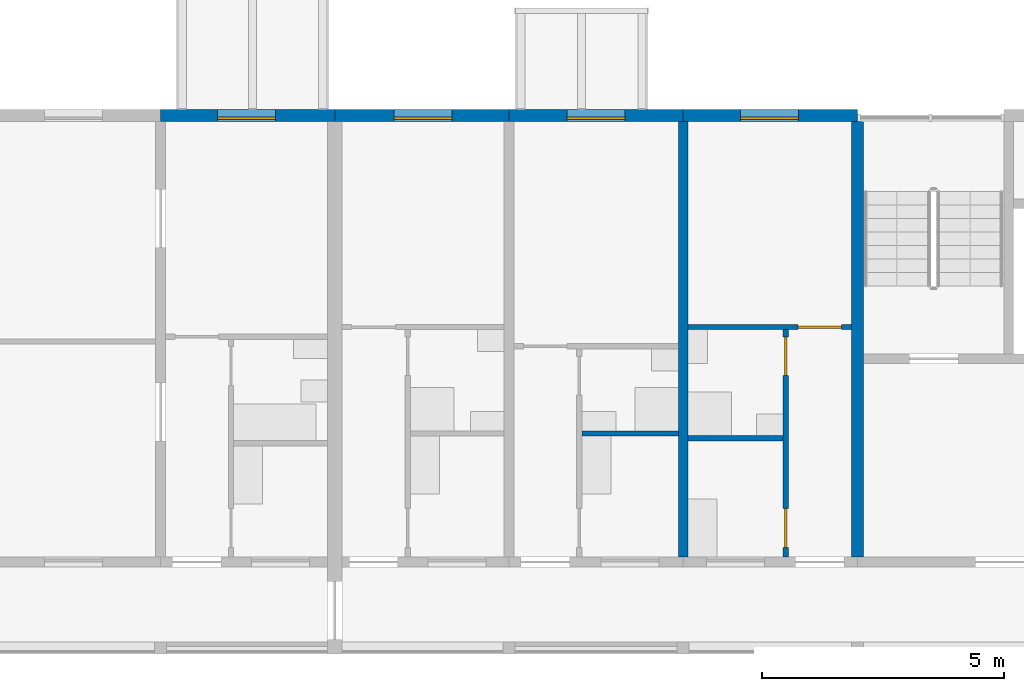
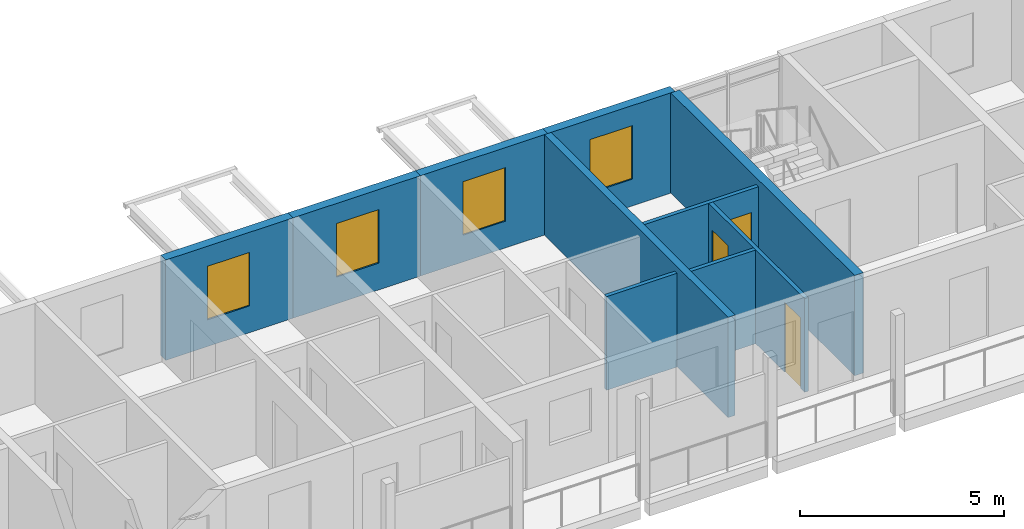
# One storey, part 37 of 94: 10 walls, 4 windows, 3 doors, 7 openings.
"""IFC4 building model written with IfcOpenShell, lengths in metres."""

from ifc_helpers import new_model, si_unit, direction, frame, frame_2d, origin, place, context, subcontext, project, spatial, rectangle, extrude, material, layer, layer_set, type_object, element, fill, save


model = new_model("IFC4")

# Units and contexts
model_context = context("Model", 3, precision=1e-05, world=origin(), true_north=direction((0.0, 1.0)))
body_context = subcontext(model_context, "Body", "Model", "MODEL_VIEW")
ifc_project = project(units=[si_unit("LENGTHUNIT", "METRE"), si_unit("AREAUNIT", "SQUARE_METRE"), si_unit("VOLUMEUNIT", "CUBIC_METRE"), si_unit("PLANEANGLEUNIT", "RADIAN"), si_unit("MASSUNIT", "GRAM", prefix="KILO")], contexts=[model_context])

# Site, building, storey
site_placement = place(None, origin())
site = spatial("IfcSite", under=ifc_project, at=site_placement, CompositionType="ELEMENT")
building_placement = place(site_placement, origin())
building = spatial("IfcBuilding", under=site, at=building_placement, Name="Ridgestep Commons", CompositionType="ELEMENT")
storey_placement = place(building_placement, frame((0.0, 0.0, 24.0)))
storey = spatial("IfcBuildingStorey", under=building, at=storey_placement, Name="L08", CompositionType="ELEMENT", Elevation=24.0)

# Walls
ifc_material_1 = material(Name="Concrete C30/37", Category="concrete")
ifc_layer_1 = layer(ifc_material_1, 0.25)
ifc_layer_set_1 = layer_set([ifc_layer_1], Name="Core cross wall 250")
wall_type_1 = type_object("IfcWallType", Name="Core cross wall 250", PredefinedType="SHEAR", material=ifc_layer_set_1)
wall_1_placement = place(storey_placement, frame((73.199951171875, 13.75, 0.0), z_axis=(0.0, 0.0, 1.0), x_axis=(0.0, 1.0, 0.0)))
element("IfcWall", 1, at=wall_1_placement, inside=storey, type_object=wall_type_1, Name="Cross wall A-08-0732", PredefinedType="SHEAR", context=body_context, shape_type="SweptSolid", body=[
    extrude(rectangle(XDim=9.0, YDim=0.25, at=frame_2d((4.5, 0.0))), origin(), (0.0, 0.0, 1.0), 3.0),
])
ifc_material_2 = material(Name="Precast concrete C40/50", Category="concrete")
ifc_layer_2 = layer(ifc_material_2, 0.199951171875)
ifc_layer_set_2 = layer_set([ifc_layer_2], Name="Cross wall 200")
wall_type_2 = type_object("IfcWallType", Name="Cross wall 200", PredefinedType="SHEAR", material=ifc_layer_set_2)
wall_2_placement = place(storey_placement, frame((69.60009765625, 13.75, 0.0), z_axis=(0.0, 0.0, 1.0), x_axis=(0.0, 1.0, 0.0)))
element("IfcWall", 2, at=wall_2_placement, inside=storey, type_object=wall_type_2, Name="Cross wall A-08-0696", PredefinedType="SHEAR", context=body_context, shape_type="SweptSolid", body=[
    extrude(rectangle(XDim=9.0, YDim=0.199951171875, at=frame_2d((4.5, 0.0))), origin(), (0.0, 0.0, 1.0), 3.0),
])

# Wall, opening, window
ifc_material_3 = material(Name="Precast concrete C40/50", Category="concrete")
ifc_layer_3 = layer(ifc_material_3, 0.25)
ifc_layer_set_3 = layer_set([ifc_layer_3], Name="North facade panel 250")
wall_type_3 = type_object("IfcWallType", Name="North facade panel 250", PredefinedType="SOLIDWALL", material=ifc_layer_set_3)
wall_3_placement = place(storey_placement, frame((58.800048828125, 22.875, 0.0), z_axis=(0.0, 0.0, 1.0), x_axis=(1.0, 0.0, 0.0)))
wall_3 = element("IfcWall", 3, at=wall_3_placement, inside=storey, type_object=wall_type_3, Name="North panel A3T1 L08", PredefinedType="SOLIDWALL", context=body_context, shape_type="SweptSolid", body=[
    extrude(rectangle(XDim=3.599853515625, YDim=0.25, at=frame_2d((1.7998046875, 0.0))), origin(), (0.0, 0.0, 1.0), 3.0),
])
opening_1_placement = place(wall_3_placement, frame((1.175048828125, 0.0, 0.800048828125)))
opening_1 = element("IfcOpeningElement", 4, at=opening_1_placement, cuts=wall_3, Name="Opening W11", PredefinedType="OPENING", context=body_context, shape_type="SweptSolid", body=[
    extrude(rectangle(XDim=1.199951171875, YDim=1.60009765625, at=frame_2d((0.60009765625, 0.800048828125))), frame((0.0, 0.135009765625, 0.0), z_axis=(0.0, -1.0, 0.0), x_axis=(1.0, 0.0, 0.0)), (0.0, 0.0, 1.0), 0.27001953125),
])
ifc_material_4 = material(Name="Aluminium 6063-T6 and glass", Category="aluminium")
window_type = type_object("IfcWindowType", Name="Flat window 1200 x 1600", PartitioningType="SINGLE_PANEL", PredefinedType="WINDOW", material=ifc_material_4)
window_1_placement = place(opening_1_placement, origin())
window_1 = element("IfcWindow", 5, at=window_1_placement, inside=storey, type_object=window_type, Name="Window A3-08a 4", OverallHeight=1.60009765625, OverallWidth=1.199951171875, PartitioningType="SINGLE_PANEL", PredefinedType="WINDOW", context=body_context, shape_type="SweptSolid", body=[
    extrude(rectangle(XDim=1.199951171875, YDim=1.60009765625, at=frame_2d((0.60009765625, 0.800048828125))), frame((0.0, -0.02490234375, 0.0), z_axis=(0.0, -1.0, 0.0), x_axis=(1.0, 0.0, 0.0)), (0.0, 0.0, 1.0), 0.06005859375),
])
fill(opening_1, window_1)

wall_4_placement = place(storey_placement, frame((62.39990234375, 22.875, 0.0), z_axis=(0.0, 0.0, 1.0), x_axis=(1.0, 0.0, 0.0)))
wall_4 = element("IfcWall", 6, at=wall_4_placement, inside=storey, type_object=wall_type_3, Name="North panel A4T1 L08", PredefinedType="SOLIDWALL", context=body_context, shape_type="SweptSolid", body=[
    extrude(rectangle(XDim=3.60009765625, YDim=0.25, at=frame_2d((1.800048828125, 0.0))), origin(), (0.0, 0.0, 1.0), 3.0),
])
opening_2_placement = place(wall_4_placement, frame((1.22509765625, 0.0, 0.800048828125)))
opening_2 = element("IfcOpeningElement", 7, at=opening_2_placement, cuts=wall_4, Name="Opening W11", PredefinedType="OPENING", context=body_context, shape_type="SweptSolid", body=[
    extrude(rectangle(XDim=1.199951171875, YDim=1.60009765625, at=frame_2d((0.60009765625, 0.800048828125))), frame((0.0, 0.135009765625, 0.0), z_axis=(0.0, -1.0, 0.0), x_axis=(1.0, 0.0, 0.0)), (0.0, 0.0, 1.0), 0.27001953125),
])
window_2_placement = place(opening_2_placement, origin())
window_2 = element("IfcWindow", 8, at=window_2_placement, inside=storey, type_object=window_type, Name="Window A4-08a 2", OverallHeight=1.60009765625, OverallWidth=1.199951171875, PartitioningType="SINGLE_PANEL", PredefinedType="WINDOW", context=body_context, shape_type="SweptSolid", body=[
    extrude(rectangle(XDim=1.199951171875, YDim=1.60009765625, at=frame_2d((0.60009765625, 0.800048828125))), frame((0.0, -0.02490234375, 0.0), z_axis=(0.0, -1.0, 0.0), x_axis=(1.0, 0.0, 0.0)), (0.0, 0.0, 1.0), 0.06005859375),
])
fill(opening_2, window_2)

wall_5_placement = place(storey_placement, frame((66.0, 22.875, 0.0), z_axis=(0.0, 0.0, 1.0), x_axis=(1.0, 0.0, 0.0)))
wall_5 = element("IfcWall", 9, at=wall_5_placement, inside=storey, type_object=wall_type_3, Name="North panel A4T2 L08", PredefinedType="SOLIDWALL", context=body_context, shape_type="SweptSolid", body=[
    extrude(rectangle(XDim=3.60009765625, YDim=0.25, at=frame_2d((1.800048828125, 0.0))), origin(), (0.0, 0.0, 1.0), 3.0),
])
opening_3_placement = place(wall_5_placement, frame((1.199951171875, 0.0, 0.800048828125)))
opening_3 = element("IfcOpeningElement", 10, at=opening_3_placement, cuts=wall_5, Name="Opening W11", PredefinedType="OPENING", context=body_context, shape_type="SweptSolid", body=[
    extrude(rectangle(XDim=1.199951171875, YDim=1.60009765625, at=frame_2d((0.60009765625, 0.800048828125))), frame((0.0, 0.135009765625, 0.0), z_axis=(0.0, -1.0, 0.0), x_axis=(1.0, 0.0, 0.0)), (0.0, 0.0, 1.0), 0.27001953125),
])
window_3_placement = place(opening_3_placement, origin())
window_3 = element("IfcWindow", 11, at=window_3_placement, inside=storey, type_object=window_type, Name="Window A4-08b 2", OverallHeight=1.60009765625, OverallWidth=1.199951171875, PartitioningType="SINGLE_PANEL", PredefinedType="WINDOW", context=body_context, shape_type="SweptSolid", body=[
    extrude(rectangle(XDim=1.199951171875, YDim=1.60009765625, at=frame_2d((0.60009765625, 0.800048828125))), frame((0.0, -0.02490234375, 0.0), z_axis=(0.0, -1.0, 0.0), x_axis=(1.0, 0.0, 0.0)), (0.0, 0.0, 1.0), 0.06005859375),
])
fill(opening_3, window_3)

wall_6_placement = place(storey_placement, frame((69.60009765625, 22.875, 0.0), z_axis=(0.0, 0.0, 1.0), x_axis=(1.0, 0.0, 0.0)))
wall_6 = element("IfcWall", 12, at=wall_6_placement, inside=storey, type_object=wall_type_3, Name="North panel A4T3 L08", PredefinedType="SOLIDWALL", context=body_context, shape_type="SweptSolid", body=[
    extrude(rectangle(XDim=3.599853515625, YDim=0.25, at=frame_2d((1.7998046875, 0.0))), origin(), (0.0, 0.0, 1.0), 3.0),
])
opening_4_placement = place(wall_6_placement, frame((1.1875, 0.0, 0.800048828125)))
opening_4 = element("IfcOpeningElement", 13, at=opening_4_placement, cuts=wall_6, Name="Opening W11", PredefinedType="OPENING", context=body_context, shape_type="SweptSolid", body=[
    extrude(rectangle(XDim=1.199951171875, YDim=1.60009765625, at=frame_2d((0.60009765625, 0.800048828125))), frame((0.0, 0.135009765625, 0.0), z_axis=(0.0, -1.0, 0.0), x_axis=(1.0, 0.0, 0.0)), (0.0, 0.0, 1.0), 0.27001953125),
])
window_4_placement = place(opening_4_placement, origin())
window_4 = element("IfcWindow", 14, at=window_4_placement, inside=storey, type_object=window_type, Name="Window A4-08c 2", OverallHeight=1.60009765625, OverallWidth=1.199951171875, PartitioningType="SINGLE_PANEL", PredefinedType="WINDOW", context=body_context, shape_type="SweptSolid", body=[
    extrude(rectangle(XDim=1.199951171875, YDim=1.60009765625, at=frame_2d((0.60009765625, 0.800048828125))), frame((0.0, -0.02490234375, 0.0), z_axis=(0.0, -1.0, 0.0), x_axis=(1.0, 0.0, 0.0)), (0.0, 0.0, 1.0), 0.06005859375),
])
fill(opening_4, window_4)

# Walls
ifc_material_5 = material(Name="Common brick 110 mm", Category="masonry")
ifc_layer_4 = layer(ifc_material_5, 0.110107421875)
ifc_layer_set_4 = layer_set([ifc_layer_4], Name="Partition 110")
wall_type_4 = type_object("IfcWallType", Name="Partition 110", PredefinedType="PARTITIONING", material=ifc_layer_set_4)
wall_7_placement = place(storey_placement, frame((67.510009765625, 16.304931640625, 0.0), z_axis=(0.0, 0.0, 1.0), x_axis=(1.0, 0.0, 0.0)))
element("IfcWall", 15, at=wall_7_placement, inside=storey, type_object=wall_type_4, Name="Partition A4-08b", PredefinedType="PARTITIONING", context=body_context, shape_type="SweptSolid", body=[
    extrude(rectangle(XDim=1.989990234375, YDim=0.110107421875, at=frame_2d((0.9951171875, 0.0))), origin(), (0.0, 0.0, 1.0), 2.800048828125),
])
wall_8_placement = place(storey_placement, frame((69.699951171875, 16.205078125, 0.0), z_axis=(0.0, 0.0, 1.0), x_axis=(1.0, 0.0, 0.0)))
element("IfcWall", 16, at=wall_8_placement, inside=storey, type_object=wall_type_4, Name="Partition A4-08c", PredefinedType="PARTITIONING", context=body_context, shape_type="SweptSolid", body=[
    extrude(rectangle(XDim=1.965087890625, YDim=0.110107421875, at=frame_2d((0.982421875, 0.0))), origin(), (0.0, 0.0, 1.0), 2.800048828125),
])

# Wall, openings, doors
wall_9_placement = place(storey_placement, frame((71.719970703125, 13.75, 0.0), z_axis=(0.0, 0.0, 1.0), x_axis=(0.0, 1.0, 0.0)))
wall_9 = element("IfcWall", 17, at=wall_9_placement, inside=storey, type_object=wall_type_4, Name="Partition A4-08c", PredefinedType="PARTITIONING", context=body_context, shape_type="SweptSolid", body=[
    extrude(rectangle(XDim=4.699951171875, YDim=0.110107421875, at=frame_2d((2.35009765625, 0.0))), origin(), (0.0, 0.0, 1.0), 2.800048828125),
])
opening_5_placement = place(wall_9_placement, frame((0.199951171875, 0.0, 0.0)))
opening_5 = element("IfcOpeningElement", 18, at=opening_5_placement, cuts=wall_9, Name="Opening A4-08c/2", PredefinedType="OPENING", context=body_context, shape_type="SweptSolid", body=[
    extrude(rectangle(XDim=0.800048828125, YDim=2.10009765625, at=frame_2d((0.39990234375, 1.050048828125))), frame((0.0, 0.06494140625, 0.0), z_axis=(0.0, -1.0, 0.0), x_axis=(1.0, 0.0, 0.0)), (0.0, 0.0, 1.0), 0.130126953125),
])
opening_6_placement = place(wall_9_placement, frame((3.75, 0.0, 0.0)))
opening_6 = element("IfcOpeningElement", 19, at=opening_6_placement, cuts=wall_9, Name="Opening A4-08c/3", PredefinedType="OPENING", context=body_context, shape_type="SweptSolid", body=[
    extrude(rectangle(XDim=0.800048828125, YDim=2.10009765625, at=frame_2d((0.39990234375, 1.050048828125))), frame((0.0, 0.06494140625, 0.0), z_axis=(0.0, -1.0, 0.0), x_axis=(1.0, 0.0, 0.0)), (0.0, 0.0, 1.0), 0.130126953125),
])
ifc_material_6 = material(Name="Timber door leaf", Category="wood")
door_type_1 = type_object("IfcDoorType", Name="Internal door 800 x 2100", OperationType="NOTDEFINED", PredefinedType="DOOR", material=ifc_material_6)
door_1_placement = place(opening_5_placement, origin())
door_1 = element("IfcDoor", 20, at=door_1_placement, inside=storey, type_object=door_type_1, Name="Internal door A4-08c/2", OperationType="SINGLE_SWING_LEFT", OverallHeight=2.10009765625, OverallWidth=0.800048828125, PredefinedType="DOOR", context=body_context, shape_type="SweptSolid", body=[
    extrude(rectangle(XDim=0.800048828125, YDim=2.10009765625, at=frame_2d((0.39990234375, 1.050048828125))), frame((0.0, 0.02490234375, 0.0), z_axis=(0.0, -1.0, 0.0), x_axis=(1.0, 0.0, 0.0)), (0.0, 0.0, 1.0), 0.050048828125),
])
fill(opening_5, door_1)
door_2_placement = place(opening_6_placement, origin())
door_2 = element("IfcDoor", 21, at=door_2_placement, inside=storey, type_object=door_type_1, Name="Internal door A4-08c/3", OperationType="SINGLE_SWING_RIGHT", OverallHeight=2.10009765625, OverallWidth=0.800048828125, PredefinedType="DOOR", context=body_context, shape_type="SweptSolid", body=[
    extrude(rectangle(XDim=0.800048828125, YDim=2.10009765625, at=frame_2d((0.39990234375, 1.050048828125))), frame((0.0, 0.02490234375, 0.0), z_axis=(0.0, -1.0, 0.0), x_axis=(1.0, 0.0, 0.0)), (0.0, 0.0, 1.0), 0.050048828125),
])
fill(opening_6, door_2)

# Wall, opening, door
wall_10_placement = place(storey_placement, frame((69.699951171875, 18.5048828125, 0.0), z_axis=(0.0, 0.0, 1.0), x_axis=(1.0, 0.0, 0.0)))
wall_10 = element("IfcWall", 22, at=wall_10_placement, inside=storey, type_object=wall_type_4, Name="Partition A4-08c", PredefinedType="PARTITIONING", context=body_context, shape_type="SweptSolid", body=[
    extrude(rectangle(XDim=3.375, YDim=0.110107421875, at=frame_2d((1.6875, 0.0))), origin(), (0.0, 0.0, 1.0), 2.800048828125),
])
opening_7_placement = place(wall_10_placement, frame((2.27490234375, 0.0, 0.0)))
opening_7 = element("IfcOpeningElement", 23, at=opening_7_placement, cuts=wall_10, Name="Opening A4-08c/4", PredefinedType="OPENING", context=body_context, shape_type="SweptSolid", body=[
    extrude(rectangle(XDim=0.89990234375, YDim=2.10009765625, at=frame_2d((0.449951171875, 1.050048828125))), frame((0.0, 0.06494140625, 0.0), z_axis=(0.0, -1.0, 0.0), x_axis=(1.0, 0.0, 0.0)), (0.0, 0.0, 1.0), 0.130126953125),
])
ifc_material_7 = material(Name="Timber door leaf", Category="wood")
door_type_2 = type_object("IfcDoorType", Name="Internal door 900 x 2100", OperationType="NOTDEFINED", PredefinedType="DOOR", material=ifc_material_7)
door_3_placement = place(opening_7_placement, origin())
door_3 = element("IfcDoor", 24, at=door_3_placement, inside=storey, type_object=door_type_2, Name="Internal door A4-08c/4", OperationType="SINGLE_SWING_RIGHT", OverallHeight=2.10009765625, OverallWidth=0.89990234375, PredefinedType="DOOR", context=body_context, shape_type="SweptSolid", body=[
    extrude(rectangle(XDim=0.89990234375, YDim=2.10009765625, at=frame_2d((0.449951171875, 1.050048828125))), frame((0.0, 0.02490234375, 0.0), z_axis=(0.0, -1.0, 0.0), x_axis=(1.0, 0.0, 0.0)), (0.0, 0.0, 1.0), 0.050048828125),
])
fill(opening_7, door_3)

save(model, "model.ifc")
